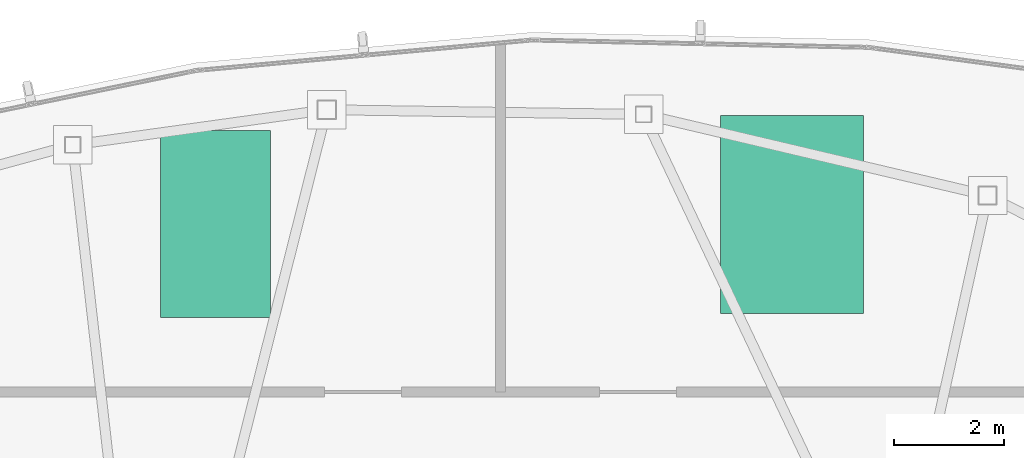
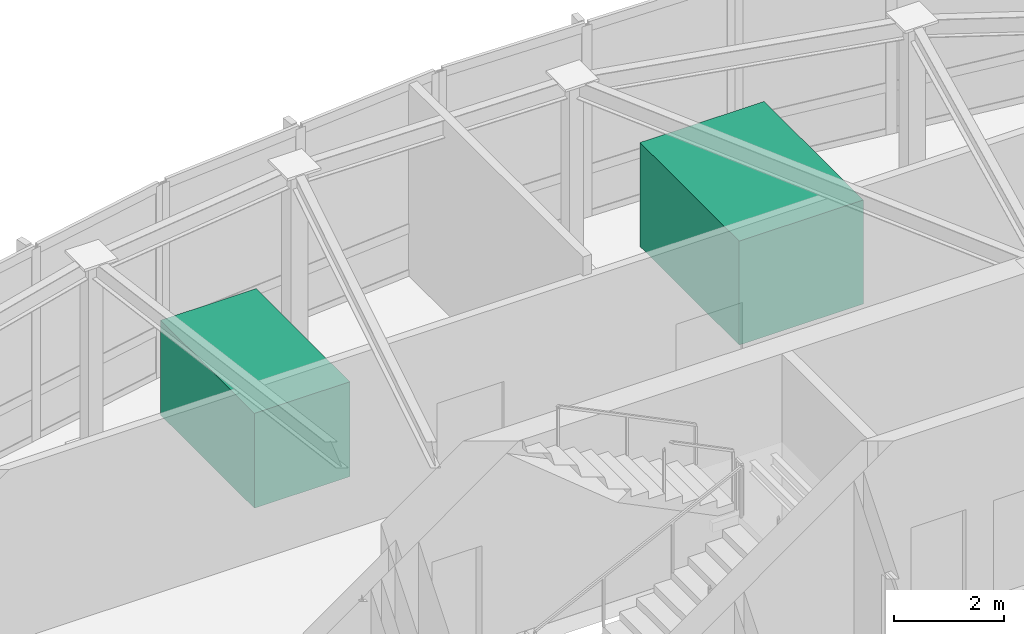
# One storey, part 16 of 16: 1 tank, 1 unitary equipment element.
"""IFC4 building model written with IfcOpenShell, lengths in metres."""

import ifcopenshell
import ifcopenshell.guid

model = None  # the IFC model being written
_history = None  # IfcOwnerHistory: only IFC2X3 demands one
_inside = {}  # id of a spatial element -> (the spatial element, [elements in it])
_under = {}  # id of a project, library or spatial element -> (it, [spatial elements below it])
_declared = {}  # id of a project -> (the project, [libraries it declares])
_typed = {}  # id of a type object -> (the type object, [elements of that type])
_made_of = {}  # id of a material, layer set ... -> (it, [elements and type objects made of it])


def new_model(schema):
    """Start an empty IFC model of exactly this schema.

    Asked for "IFC4X3", IfcOpenShell would pick the latest addendum, in which some entities
    have other attributes; the version numbers below select the first issue.
    IFC2X3 requires an IfcOwnerHistory on every rooted entity: one is made here for all.
    """
    global model, _history
    if schema == "IFC4X3":
        model = ifcopenshell.file(schema_version=(4, 3, 0, 0))
    else:
        model = ifcopenshell.file(schema=schema)
    _inside.clear()
    _under.clear()
    _declared.clear()
    _typed.clear()
    _made_of.clear()
    _history = None
    if model.schema == "IFC2X3":
        org = make("IfcOrganization", Name="unknown")
        user = make(
            "IfcPersonAndOrganization",
            ThePerson=make("IfcPerson", FamilyName="unknown"),
            TheOrganization=org,
        )
        app = make(
            "IfcApplication",
            ApplicationDeveloper=org,
            Version="unknown",
            ApplicationFullName="unknown",
            ApplicationIdentifier="unknown",
        )
        _history = make(
            "IfcOwnerHistory",
            OwningUser=user,
            OwningApplication=app,
            ChangeAction="ADDED",
            CreationDate=0,
        )
    return model


def make(cls, **values):
    """One entity of the class cls with the attributes given. An attribute that is None is left unset."""
    return model.create_entity(
        cls, **{name: value for name, value in values.items() if value is not None}
    )


def rooted(cls, **values):
    """An entity with a GlobalId (a new one), such as an element, a storey or a relation."""
    return make(cls, GlobalId=ifcopenshell.guid.new(), OwnerHistory=_history, **values)


def si_unit(unit_type, name, prefix=None):
    """IfcSIUnit, for example si_unit("LENGTHUNIT", "METRE", prefix="MILLI")."""
    return make("IfcSIUnit", UnitType=unit_type, Prefix=prefix, Name=name)


def assignment(units):
    """IfcUnitAssignment: the units of a project."""
    return None if units is None else make("IfcUnitAssignment", Units=units)


def point(xyz):
    """IfcCartesianPoint."""
    return None if xyz is None else make("IfcCartesianPoint", Coordinates=xyz)


def direction(xyz):
    """IfcDirection."""
    return None if xyz is None else make("IfcDirection", DirectionRatios=xyz)


def frame(location, z_axis=None, x_axis=None):
    """IfcAxis2Placement3D, a coordinate frame: its origin and axes. An axis left out is left unset."""
    return make(
        "IfcAxis2Placement3D",
        Location=point(location),
        Axis=direction(z_axis),
        RefDirection=direction(x_axis),
    )


def frame_2d(location, x_axis=None):
    """IfcAxis2Placement2D, a coordinate frame in the plane: its origin and x axis."""
    return make(
        "IfcAxis2Placement2D", Location=point(location), RefDirection=direction(x_axis)
    )


def origin():
    """The frame at (0, 0, 0) with its axes left unset."""
    return frame((0.0, 0.0, 0.0))


def origin_2d():
    """The frame at (0, 0) in the plane with its x axis left unset."""
    return frame_2d((0.0, 0.0))


def place(relative_to, where):
    """IfcLocalPlacement: puts the frame where relative to a parent placement (None: the world)."""
    return make(
        "IfcLocalPlacement", PlacementRelTo=relative_to, RelativePlacement=where
    )


def context(
    kind, dimensions, precision=None, world=None, true_north=None, identifier=None
):
    """IfcGeometricRepresentationContext, for example the 3D "Model" context."""
    return make(
        "IfcGeometricRepresentationContext",
        ContextIdentifier=identifier,
        ContextType=kind,
        CoordinateSpaceDimension=dimensions,
        Precision=precision,
        WorldCoordinateSystem=world,
        TrueNorth=true_north,
    )


def subcontext(parent, identifier, kind, view, scale=None):
    """IfcGeometricRepresentationSubContext, for example "Body" below "Model"."""
    return make(
        "IfcGeometricRepresentationSubContext",
        ContextIdentifier=identifier,
        ContextType=kind,
        ParentContext=parent,
        TargetScale=scale,
        TargetView=view,
    )


def project(units=None, contexts=None):
    """IfcProject with its units and contexts."""
    return rooted(
        "IfcProject",
        Name="project",
        RepresentationContexts=contexts,
        UnitsInContext=assignment(units),
    )


def spatial(cls, under=None, at=None, **own):
    """A site, building, storey or space (cls), placed at a placement, below another one or the project."""
    s = rooted(cls, ObjectPlacement=at, **own)
    if under is not None:
        _under.setdefault(under.id(), (under, []))[1].append(s)
    return s


def profile(cls, at=None, kind="AREA", **sizes):
    """A parametric profile (cls). Its sizes go by their IFC names, for example OverallWidth=200.0."""
    return make(cls, ProfileType=kind, Position=at, **sizes)


def rectangle(**sizes):
    """IfcRectangleProfileDef."""
    return profile("IfcRectangleProfileDef", **sizes)


def extrude(swept, where, along, depth):
    """IfcExtrudedAreaSolid: the profile swept, set in the frame where, extruded along a direction by depth."""
    return make(
        "IfcExtrudedAreaSolid",
        SweptArea=swept,
        Position=where,
        ExtrudedDirection=direction(along),
        Depth=depth,
    )


def shape(context_of_items, identifier, shape_type, items):
    """IfcShapeRepresentation: the items that make up one representation, for example the "Body"."""
    return make(
        "IfcShapeRepresentation",
        ContextOfItems=context_of_items,
        RepresentationIdentifier=identifier,
        RepresentationType=shape_type,
        Items=items,
    )


def material(Name=None, Category=None):
    """IfcMaterial."""
    return make("IfcMaterial", Name=Name, Category=Category)


def made_of(thing, what):
    """Note that an element or type object is made of a material, layer set ...; save() writes the relation."""
    if what is not None:
        _made_of.setdefault(what.id(), (what, []))[1].append(thing)
    return thing


def type_object(cls, material=None, **own):
    """A type object (cls), such as IfcWallType, which elements share."""
    return made_of(rooted(cls, **own), material)


def element(
    cls,
    number,
    at=None,
    inside=None,
    cuts=None,
    type_object=None,
    material=None,
    context=None,
    identifier="Body",
    shape_type=None,
    held_by="IfcProductDefinitionShape",
    body=None,
    shapes=None,
    **own,
):
    """One element of the class cls, such as IfcWall. Its Tag is "e" and its number.

    at: its placement. inside: the storey or other place that contains it. cuts: it is an
    opening in that element (IfcRelVoidsElement). A single representation is given by context,
    identifier, shape_type and body (its items); several are given by shapes. held_by: the class
    of the entity that holds the representations. save() writes the other relations.
    """
    e = rooted(cls, Tag="e%d" % number, ObjectPlacement=at, **own)
    if body is not None:
        shapes = [shape(context, identifier, shape_type, body)]
    if shapes is not None:
        e.Representation = make(held_by, Representations=shapes)
    if inside is not None:
        _inside.setdefault(inside.id(), (inside, []))[1].append(e)
    if cuts is not None:
        rooted(
            "IfcRelVoidsElement", RelatingBuildingElement=cuts, RelatedOpeningElement=e
        )
    if type_object is not None:
        _typed.setdefault(type_object.id(), (type_object, []))[1].append(e)
    return made_of(e, material)


def aggregate(whole, parts):
    """IfcRelAggregates: a whole, such as a stair, and the parts it consists of."""
    return rooted("IfcRelAggregates", RelatingObject=whole, RelatedObjects=parts)


def save(model, path):
    """Write the relations noted so far, then the file.

    IfcRelAggregates (storeys below a building ...), IfcRelContainedInSpatialStructure (elements
    in a storey), IfcRelDefinesByType, IfcRelAssociatesMaterial and IfcRelDeclares: one each for
    every whole, place, type object, material and project.
    """
    for whole, parts in _under.values():
        aggregate(whole, parts)
    for where, things in _inside.values():
        rooted(
            "IfcRelContainedInSpatialStructure",
            RelatedElements=things,
            RelatingStructure=where,
        )
    for kind, things in _typed.values():
        rooted("IfcRelDefinesByType", RelatedObjects=things, RelatingType=kind)
    for what, things in _made_of.values():
        rooted("IfcRelAssociatesMaterial", RelatedObjects=things, RelatingMaterial=what)
    for by, libraries in _declared.values():
        rooted("IfcRelDeclares", RelatingContext=by, RelatedDefinitions=libraries)
    model.write(path)


model = new_model("IFC4")

# Units and contexts
model_context = context("Model", 3, precision=1e-05, world=origin(), true_north=direction((0.0, 1.0)))
body_context = subcontext(model_context, "Body", "Model", "MODEL_VIEW")
ifc_project = project(units=[si_unit("LENGTHUNIT", "METRE"), si_unit("AREAUNIT", "SQUARE_METRE"), si_unit("VOLUMEUNIT", "CUBIC_METRE"), si_unit("PLANEANGLEUNIT", "RADIAN"), si_unit("MASSUNIT", "GRAM", prefix="KILO")], contexts=[model_context])

# Site, building, storey
site_placement = place(None, origin())
site = spatial("IfcSite", under=ifc_project, at=site_placement, CompositionType="ELEMENT")
building_placement = place(site_placement, origin())
building = spatial("IfcBuilding", under=site, at=building_placement, Name="Tavelor Broadcast Tower", CompositionType="ELEMENT")
storey_placement = place(building_placement, frame((0.0, 0.0, 336.699951171875)))
storey = spatial("IfcBuildingStorey", under=building, at=storey_placement, Name="L80", CompositionType="ELEMENT", Elevation=336.699951171875)

# Unitary equipment
ifc_material = material(Name="Steel S355", Category="steel")
unitary_equipment_type = type_object("IfcUnitaryEquipmentType", Name="Broadcast Acoustic Air Handling Unit AHU", PredefinedType="AIRHANDLER", material=ifc_material)
unitary_equipment_placement = place(storey_placement, frame((44.31298828125, 58.708251953125, 0.0), z_axis=(0.0, 0.0, 1.0), x_axis=(1.0, 0.0, 0.0)))
element("IfcUnitaryEquipment", 1, at=unitary_equipment_placement, inside=storey, type_object=unitary_equipment_type, Name="L80 Broadcast Acoustic Air Handling Unit #11", PredefinedType="AIRHANDLER", context=body_context, shape_type="SweptSolid", body=[
    extrude(rectangle(XDim=2.0, YDim=3.39990234375, at=origin_2d()), origin(), (0.0, 0.0, 1.0), 2.10009765625),
])

# Tank
tank_type = type_object("IfcTankType", Name="Sectional Stainless Steel Fire and Domestic Water Tank", PredefinedType="STORAGE", material=ifc_material)
tank_placement = place(storey_placement, frame((54.804931640625, 58.880615234375, 0.0), z_axis=(0.0, 0.0, 1.0), x_axis=(1.0, 0.0, 0.0)))
element("IfcTank", 2, at=tank_placement, inside=storey, type_object=tank_type, Name="L80 Sectional Stainless Water Tank #12", PredefinedType="STORAGE", context=body_context, shape_type="SweptSolid", body=[
    extrude(rectangle(XDim=2.60009765625, YDim=3.60009765625, at=origin_2d()), origin(), (0.0, 0.0, 1.0), 2.300048828125),
])

save(model, "model.ifc")
